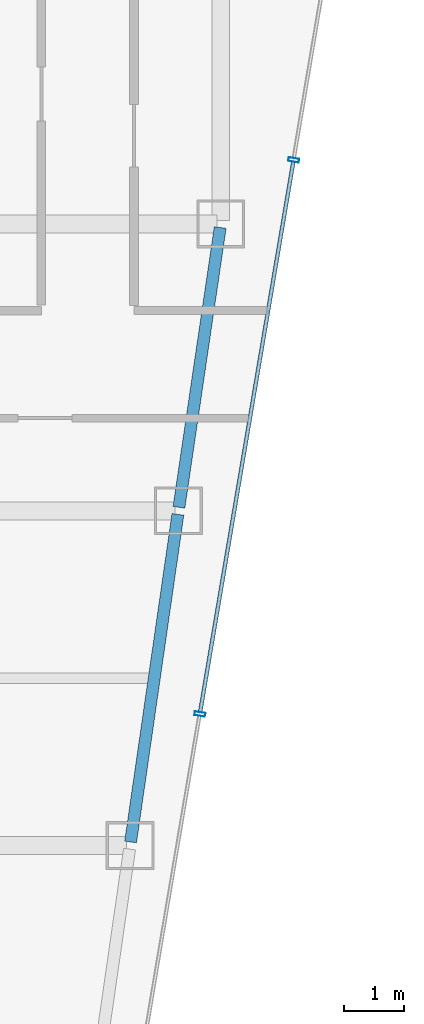
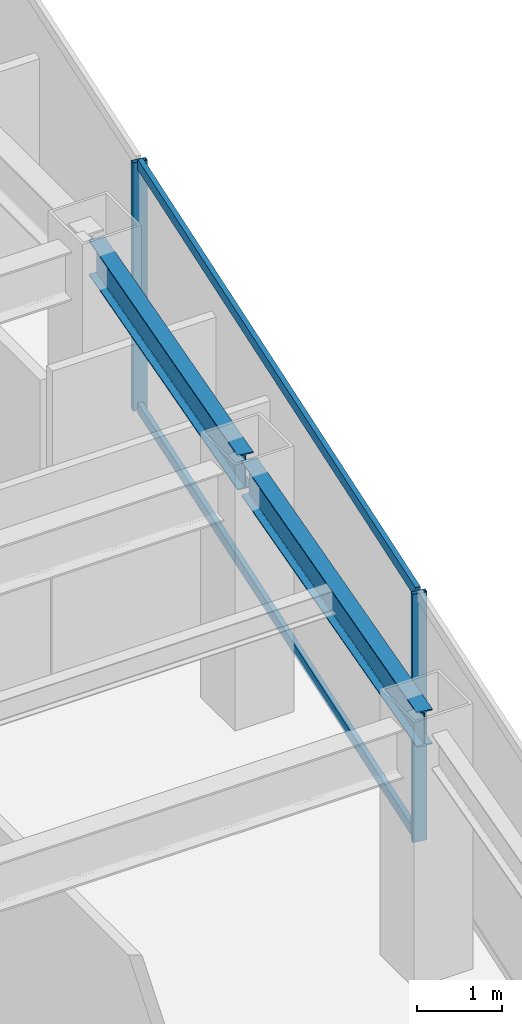
# One storey, part 22 of 36: 4 members, 2 beams, 1 element without a shape of its own.
"""IFC4 building model written with IfcOpenShell, lengths in metres."""

from ifc_helpers import new_model, si_unit, direction, frame, origin, origin_2d, place, context, subcontext, project, spatial, hollow_rectangle, i_section, extrude, material, material_profile, profile_set, type_object, element, aggregate, save


model = new_model("IFC4")

# Units and contexts
model_context = context("Model", 3, precision=1e-05, world=origin(), true_north=direction((0.0, 1.0)))
body_context = subcontext(model_context, "Body", "Model", "MODEL_VIEW")
ifc_project = project(units=[si_unit("LENGTHUNIT", "METRE"), si_unit("AREAUNIT", "SQUARE_METRE"), si_unit("VOLUMEUNIT", "CUBIC_METRE"), si_unit("PLANEANGLEUNIT", "RADIAN"), si_unit("MASSUNIT", "GRAM", prefix="KILO")], contexts=[model_context])

# Site, building, storey
site_placement = place(None, origin())
site = spatial("IfcSite", under=ifc_project, at=site_placement, CompositionType="ELEMENT")
building_placement = place(site_placement, origin())
building = spatial("IfcBuilding", under=site, at=building_placement, Name="Saevonmaru Cultural Tower", CompositionType="ELEMENT")
storey_placement = place(building_placement, frame((0.0, 0.0, 186.60009765625)))
storey = spatial("IfcBuildingStorey", under=building, at=storey_placement, Name="L42", CompositionType="ELEMENT", Elevation=186.60009765625)

# Beams
ifc_material_1 = material(Name="Steel SM355", Category="steel")
ifc_material_profile_1 = material_profile(ifc_material_1, i_section(OverallWidth=0.199951171875, OverallDepth=0.5, WebThickness=0.010009765625, FlangeThickness=0.01611328125, FilletRadius=0.02001953125, at=origin_2d()), Name="H-500x200x10x16")
ifc_profile_set_1 = profile_set([ifc_material_profile_1], Name="Steel SM355")
beam_type = type_object("IfcBeamType", Name="BM-SP-H500", PredefinedType="SPANDREL", material=ifc_profile_set_1)
beam_1_placement = place(storey_placement, frame((51.691650390625, 32.059326171875, 3.2998046875), z_axis=(0.142964121327, 0.989727871697, 0.0), x_axis=(-0.989727871697, 0.142964121327, 0.0)))
element("IfcBeam", 1, at=beam_1_placement, inside=storey, type_object=beam_type, Name="L42 East Splayed Spandrel 3", PredefinedType="SPANDREL", context=body_context, shape_type="SweptSolid", body=[
    extrude(i_section(OverallWidth=0.199951171875, OverallDepth=0.5, WebThickness=0.010009765625, FlangeThickness=0.01611328125, FilletRadius=0.02001953125, at=origin_2d()), origin(), (0.0, 0.0, 1.0), 5.5380859375),
])
beam_2_placement = place(storey_placement, frame((52.500732421875, 37.659423828125, 3.2998046875), z_axis=(0.145912860028, 0.989297446312, 0.0), x_axis=(-0.989297446312, 0.145912860028, 0.0)))
element("IfcBeam", 2, at=beam_2_placement, inside=storey, type_object=beam_type, Name="L42 East Splayed Spandrel 4", PredefinedType="SPANDREL", context=body_context, shape_type="SweptSolid", body=[
    extrude(i_section(OverallWidth=0.199951171875, OverallDepth=0.5, WebThickness=0.010009765625, FlangeThickness=0.01611328125, FilletRadius=0.02001953125, at=origin_2d()), origin(), (0.0, 0.0, 1.0), 4.731689453125),
])

# Curtain wall, members
ifc_material_2 = material(Name="Satin Bronze Anodised Aluminium", Category="aluminium")
curtain_wall_type = type_object("IfcCurtainWallType", Name="CW-TYP-B", PredefinedType="NOTDEFINED", material=ifc_material_2)
curtain_wall_placement = place(storey_placement, origin())
curtain_wall = element("IfcCurtainWall", 3, at=curtain_wall_placement, inside=storey, type_object=curtain_wall_type, Name="L42 Unitised Curtain Wall E8", PredefinedType="NOTDEFINED")
ifc_material_profile_2 = material_profile(ifc_material_2, hollow_rectangle(XDim=0.06494140625, YDim=0.179931640625, WallThickness=0.00390625, at=origin_2d()), Name="ALU-MULL-180x65x4")
ifc_profile_set_2 = profile_set([ifc_material_profile_2], Name="Satin Bronze Anodised Aluminium")
member_type_1 = type_object("IfcMemberType", Name="ML-CW-180x65", PredefinedType="MULLION", material=ifc_profile_set_2)
member_1_placement = place(storey_placement, frame((52.85107421875, 34.199951171875, 0.0), z_axis=(0.0, 0.0, 1.0), x_axis=(0.16692169721, 0.985970155228, 0.0)))
member_1 = element("IfcMember", 4, at=member_1_placement, type_object=member_type_1, Name="CW-TW-L42-E8 mullion 3", PredefinedType="MULLION", context=body_context, shape_type="SweptSolid", body=[
    extrude(hollow_rectangle(XDim=0.06494140625, YDim=0.179931640625, WallThickness=0.00390625, at=origin_2d()), origin(), (0.0, 0.0, 1.0), 3.5498046875),
])
member_2_placement = place(storey_placement, frame((54.420654296875, 43.470458984375, 0.0), z_axis=(0.0, 0.0, 1.0), x_axis=(0.16692169721, 0.985970155228, 0.0)))
member_2 = element("IfcMember", 5, at=member_2_placement, type_object=member_type_1, Name="CW-TW-L42-E8 mullion 4", PredefinedType="MULLION", context=body_context, shape_type="SweptSolid", body=[
    extrude(hollow_rectangle(XDim=0.06494140625, YDim=0.179931640625, WallThickness=0.00390625, at=origin_2d()), origin(), (0.0, 0.0, 1.0), 3.5498046875),
])
ifc_material_profile_3 = material_profile(ifc_material_2, hollow_rectangle(XDim=0.06494140625, YDim=0.14990234375, WallThickness=0.00390625, at=origin_2d()), Name="ALU-TRAN-150x65x4")
ifc_profile_set_3 = profile_set([ifc_material_profile_3], Name="Satin Bronze Anodised Aluminium")
member_type_2 = type_object("IfcMemberType", Name="TR-CW-150x65", PredefinedType="USERDEFINED", material=ifc_profile_set_3)
member_3_placement = place(storey_placement, frame((52.8564453125, 34.23193359375, 0.032470703125), z_axis=(0.166916960754, 0.985970957084, 0.0), x_axis=(-0.985970957084, 0.166916960754, 0.0)))
member_3 = element("IfcMember", 6, at=member_3_placement, type_object=member_type_2, Name="CW-TW-L42-E8 transom 3.1", ObjectType="TRANSOM", PredefinedType="USERDEFINED", context=body_context, shape_type="SweptSolid", body=[
    extrude(hollow_rectangle(XDim=0.06494140625, YDim=0.14990234375, WallThickness=0.00390625, at=origin_2d()), origin(), (0.0, 0.0, 1.0), 9.337646484375),
])
member_4_placement = place(storey_placement, frame((52.8564453125, 34.23193359375, 3.517333984375), z_axis=(0.166916960754, 0.985970957084, 0.0), x_axis=(-0.985970957084, 0.166916960754, 0.0)))
member_4 = element("IfcMember", 7, at=member_4_placement, type_object=member_type_2, Name="CW-TW-L42-E8 transom 3.2", ObjectType="TRANSOM", PredefinedType="USERDEFINED", context=body_context, shape_type="SweptSolid", body=[
    extrude(hollow_rectangle(XDim=0.06494140625, YDim=0.14990234375, WallThickness=0.00390625, at=origin_2d()), origin(), (0.0, 0.0, 1.0), 9.337646484375),
])
aggregate(curtain_wall, [member_1, member_2, member_3, member_4])

save(model, "model.ifc")
